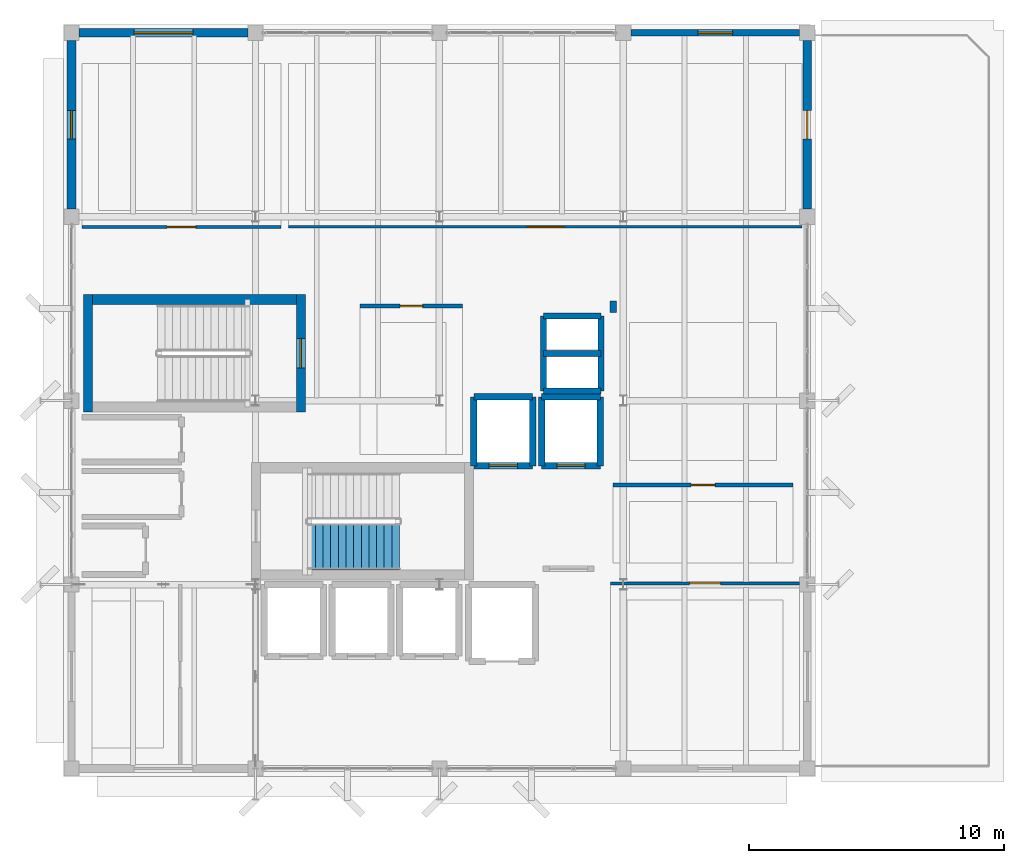
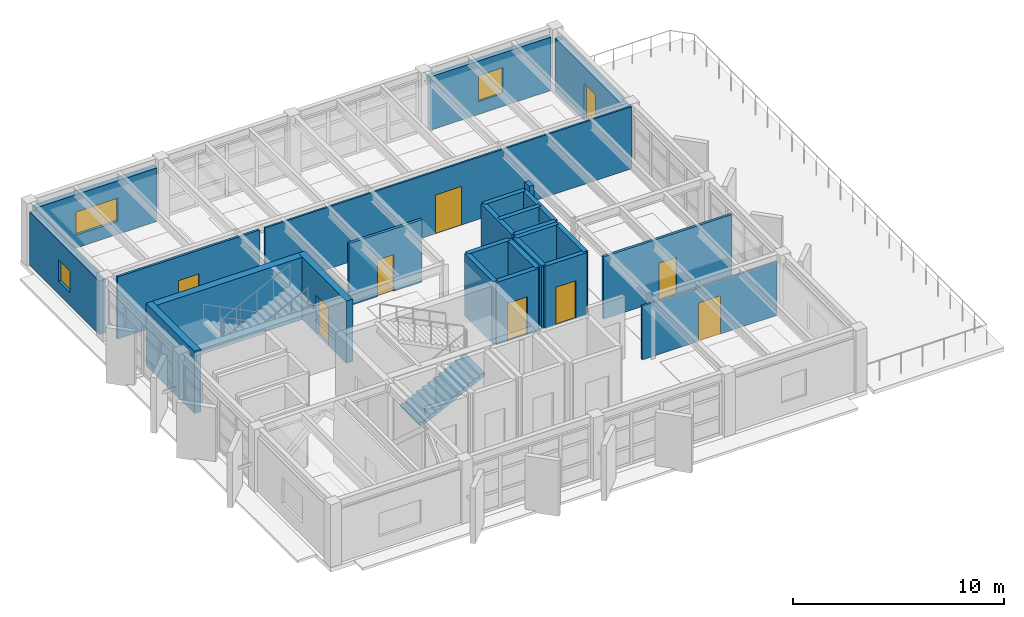
# One storey, part 14 of 19: 26 walls, 9 doors, 3 windows, 1 stair flight, 12 openings, 1 element without a shape of its own.
"""IFC4 building model written with IfcOpenShell, lengths in metres."""

from ifc_helpers import new_model, si_unit, direction, frame, frame_2d, origin, place, context, subcontext, project, spatial, polyline, rectangle, outline, extrude, material, layer, layer_set, type_object, element, fill, aggregate, save


model = new_model("IFC4")

# Units and contexts
model_context = context("Model", 3, precision=1e-05, world=origin(), true_north=direction((0.0, 1.0)))
body_context = subcontext(model_context, "Body", "Model", "MODEL_VIEW")
ifc_project = project(units=[si_unit("LENGTHUNIT", "METRE"), si_unit("AREAUNIT", "SQUARE_METRE"), si_unit("VOLUMEUNIT", "CUBIC_METRE"), si_unit("PLANEANGLEUNIT", "RADIAN"), si_unit("MASSUNIT", "GRAM", prefix="KILO")], contexts=[model_context])

# Site, building, storey
site_placement = place(None, origin())
site = spatial("IfcSite", under=ifc_project, at=site_placement, CompositionType="ELEMENT")
building_placement = place(site_placement, origin())
building = spatial("IfcBuilding", under=site, at=building_placement, Name="Kandorven Conservatory and Botanical Research Centre", CompositionType="ELEMENT")
storey_placement = place(building_placement, frame((0.0, 0.0, 28.800048828125)))
storey = spatial("IfcBuildingStorey", under=building, at=storey_placement, Name="L07", CompositionType="ELEMENT", Elevation=28.800048828125)

# Wall
ifc_material_1 = material(Name="Concrete C40/50 (M50)", Category="concrete")
ifc_layer_1 = layer(ifc_material_1, 0.39990234375)
ifc_layer_set_1 = layer_set([ifc_layer_1], Name="Concrete C40/50 (M50)")
wall_type_1 = type_object("IfcWallType", Name="Wall_CW-RC-1", PredefinedType="SHEAR", material=ifc_layer_set_1)
wall_1_placement = place(storey_placement, frame((14.800048828125, 24.35498046875, 0.0), z_axis=(0.0, 0.0, 1.0), x_axis=(-1.0, 0.0, 0.0)))
element("IfcWall", 1, at=wall_1_placement, inside=storey, type_object=wall_type_1, Name="Core stair shear wall CW-RC-1 ST-T2 L07 side A", PredefinedType="SHEAR", context=body_context, shape_type="SweptSolid", body=[
    extrude(rectangle(XDim=7.97998046875, YDim=0.39990234375, at=frame_2d((3.989990234375, 0.0))), origin(), (0.0, 0.0, 1.0), 3.619873046875),
])

# Wall, opening, door
ifc_material_2 = material(Name="Concrete C40/50 (M50)", Category="concrete")
ifc_layer_2 = layer(ifc_material_2, 0.35009765625)
ifc_layer_set_2 = layer_set([ifc_layer_2], Name="Concrete C40/50 (M50)")
wall_type_2 = type_object("IfcWallType", Name="Wall_CW-RC-2", PredefinedType="SHEAR", material=ifc_layer_set_2)
wall_2_placement = place(storey_placement, frame((14.97509765625, 24.550048828125, 0.0), z_axis=(0.0, 0.0, 1.0), x_axis=(0.0, -1.0, 0.0)))
wall_2 = element("IfcWall", 2, at=wall_2_placement, inside=storey, type_object=wall_type_2, Name="Core stair shear wall CW-RC-2 ST-T2 L07 entry", PredefinedType="SHEAR", context=body_context, shape_type="SweptSolid", body=[
    extrude(rectangle(XDim=4.590087890625, YDim=0.35009765625, at=frame_2d((2.294921875, 0.0))), origin(), (0.0, 0.0, 1.0), 3.619873046875),
])
opening_1_placement = place(wall_2_placement, frame((1.719970703125, 0.0, 0.0)))
opening_1 = element("IfcOpeningElement", 3, at=opening_1_placement, cuts=wall_2, Name="Opening FD-2", PredefinedType="OPENING", context=body_context, shape_type="SweptSolid", body=[
    extrude(rectangle(XDim=1.14990234375, YDim=2.199951171875, at=frame_2d((0.574951171875, 1.10009765625))), frame((0.0, 0.18505859375, 0.0), z_axis=(0.0, -1.0, 0.0), x_axis=(1.0, 0.0, 0.0)), (0.0, 0.0, 1.0), 0.3701171875),
])
ifc_material_3 = material(Name="Galvanised hollow steel fire door assembly", Category="steel")
door_type_1 = type_object("IfcDoorType", Name="Door_FD-2", OperationType="NOTDEFINED", PredefinedType="DOOR", material=ifc_material_3)
door_1_placement = place(opening_1_placement, origin())
door_1 = element("IfcDoor", 4, at=door_1_placement, inside=storey, type_object=door_type_1, Name="Exit stair fire door FD-2 ST-T2 L07", OperationType="SINGLE_SWING_RIGHT", OverallHeight=2.199951171875, OverallWidth=1.14990234375, PredefinedType="DOOR", context=body_context, shape_type="SweptSolid", body=[
    extrude(rectangle(XDim=1.14990234375, YDim=2.199951171875, at=frame_2d((0.574951171875, 1.10009765625))), frame((0.0, 0.02490234375, 0.0), z_axis=(0.0, -1.0, 0.0), x_axis=(1.0, 0.0, 0.0)), (0.0, 0.0, 1.0), 0.050048828125),
])
fill(opening_1, door_1)

# Wall
wall_3_placement = place(storey_placement, frame((6.64501953125, 24.550048828125, 0.0), z_axis=(0.0, 0.0, 1.0), x_axis=(0.0, -1.0, 0.0)))
element("IfcWall", 5, at=wall_3_placement, inside=storey, type_object=wall_type_2, Name="Core stair shear wall CW-RC-2 ST-T2 L07 far", PredefinedType="SHEAR", context=body_context, shape_type="SweptSolid", body=[
    extrude(rectangle(XDim=4.590087890625, YDim=0.35009765625, at=frame_2d((2.294921875, 0.0))), origin(), (0.0, 0.0, 1.0), 3.619873046875),
])

# Wall, opening, door
wall_4_placement = place(storey_placement, frame((21.75, 17.85009765625, 0.0), z_axis=(0.0, 0.0, 1.0), x_axis=(1.0, 0.0, 0.0)))
wall_4 = element("IfcWall", 6, at=wall_4_placement, inside=storey, type_object=wall_type_2, Name="Lift shaft wall FFL-1 L07 S", PredefinedType="SHEAR", context=body_context, shape_type="SweptSolid", body=[
    extrude(rectangle(XDim=2.300048828125, YDim=0.25, at=frame_2d((1.14990234375, 0.0))), origin(), (0.0, 0.0, 1.0), 3.619873046875),
])
opening_2_placement = place(wall_4_placement, frame((0.60009765625, 0.0, 0.0)))
opening_2 = element("IfcOpeningElement", 7, at=opening_2_placement, cuts=wall_4, Name="Opening LD-01", PredefinedType="OPENING", context=body_context, shape_type="SweptSolid", body=[
    extrude(rectangle(XDim=1.10009765625, YDim=2.199951171875, at=frame_2d((0.550048828125, 1.10009765625))), frame((0.0, 0.135009765625, 0.0), z_axis=(0.0, -1.0, 0.0), x_axis=(1.0, 0.0, 0.0)), (0.0, 0.0, 1.0), 0.27001953125),
])
ifc_material_4 = material(Name="Anodised aluminium sliding landing door", Category="aluminium")
door_type_2 = type_object("IfcDoorType", Name="Door_LD-01", OperationType="DOUBLE_DOOR_SLIDING", PredefinedType="DOOR", material=ifc_material_4)
door_2_placement = place(opening_2_placement, origin())
door_2 = element("IfcDoor", 8, at=door_2_placement, inside=storey, type_object=door_type_2, Name="Lift landing sliding door LD-01 (FFL-1 L07)", OperationType="DOUBLE_DOOR_SLIDING", OverallHeight=2.199951171875, OverallWidth=1.10009765625, PredefinedType="DOOR", context=body_context, shape_type="SweptSolid", body=[
    extrude(rectangle(XDim=1.10009765625, YDim=2.199951171875, at=frame_2d((0.550048828125, 1.10009765625))), frame((0.0, 0.02490234375, 0.0), z_axis=(0.0, -1.0, 0.0), x_axis=(1.0, 0.0, 0.0)), (0.0, 0.0, 1.0), 0.050048828125),
])
fill(opening_2, door_2)

# Walls
wall_5_placement = place(storey_placement, frame((21.75, 20.550048828125, 0.0), z_axis=(0.0, 0.0, 1.0), x_axis=(1.0, 0.0, 0.0)))
element("IfcWall", 9, at=wall_5_placement, inside=storey, type_object=wall_type_2, Name="Lift shaft wall FFL-1 L07 N", PredefinedType="SHEAR", context=body_context, shape_type="SweptSolid", body=[
    extrude(rectangle(XDim=2.300048828125, YDim=0.25, at=frame_2d((1.14990234375, 0.0))), origin(), (0.0, 0.0, 1.0), 3.619873046875),
])
for number, where, z_axis, x_axis, name in (
    (10, (21.75, 17.85009765625, 0.0), (0.0, 0.0, 1.0), (0.0, 1.0, 0.0), "Lift shaft wall FFL-1 L07 W"),
    (11, (24.050048828125, 17.85009765625, 0.0), (0.0, 0.0, 1.0), (0.0, 1.0, 0.0), "Lift shaft wall FFL-1 L07 E"),
):
    element("IfcWall", number, at=place(storey_placement, frame(where, z_axis=z_axis, x_axis=x_axis)), inside=storey, type_object=wall_type_2, Name=name, PredefinedType="SHEAR", context=body_context, shape_type="SweptSolid", body=[
        extrude(rectangle(XDim=2.699951171875, YDim=0.25, at=frame_2d((1.35009765625, 0.0))), origin(), (0.0, 0.0, 1.0), 3.619873046875),
    ])

# Wall, opening, door
wall_6_placement = place(storey_placement, frame((24.39990234375, 17.85009765625, 0.0), z_axis=(0.0, 0.0, 1.0), x_axis=(1.0, 0.0, 0.0)))
wall_6 = element("IfcWall", 12, at=wall_6_placement, inside=storey, type_object=wall_type_2, Name="Lift shaft wall FFL-2 L07 S", PredefinedType="SHEAR", context=body_context, shape_type="SweptSolid", body=[
    extrude(rectangle(XDim=2.300048828125, YDim=0.25, at=frame_2d((1.14990234375, 0.0))), origin(), (0.0, 0.0, 1.0), 3.619873046875),
])
opening_3_placement = place(wall_6_placement, frame((0.60009765625, 0.0, 0.0)))
opening_3 = element("IfcOpeningElement", 13, at=opening_3_placement, cuts=wall_6, Name="Opening LD-01", PredefinedType="OPENING", context=body_context, shape_type="SweptSolid", body=[
    extrude(rectangle(XDim=1.10009765625, YDim=2.199951171875, at=frame_2d((0.550048828125, 1.10009765625))), frame((0.0, 0.135009765625, 0.0), z_axis=(0.0, -1.0, 0.0), x_axis=(1.0, 0.0, 0.0)), (0.0, 0.0, 1.0), 0.27001953125),
])
door_3_placement = place(opening_3_placement, origin())
door_3 = element("IfcDoor", 14, at=door_3_placement, inside=storey, type_object=door_type_2, Name="Lift landing sliding door LD-01 (FFL-2 L07)", OperationType="DOUBLE_DOOR_SLIDING", OverallHeight=2.199951171875, OverallWidth=1.10009765625, PredefinedType="DOOR", context=body_context, shape_type="SweptSolid", body=[
    extrude(rectangle(XDim=1.10009765625, YDim=2.199951171875, at=frame_2d((0.550048828125, 1.10009765625))), frame((0.0, 0.02490234375, 0.0), z_axis=(0.0, -1.0, 0.0), x_axis=(1.0, 0.0, 0.0)), (0.0, 0.0, 1.0), 0.050048828125),
])
fill(opening_3, door_3)

# Walls
wall_7_placement = place(storey_placement, frame((24.39990234375, 20.550048828125, 0.0), z_axis=(0.0, 0.0, 1.0), x_axis=(1.0, 0.0, 0.0)))
element("IfcWall", 15, at=wall_7_placement, inside=storey, type_object=wall_type_2, Name="Lift shaft wall FFL-2 L07 N", PredefinedType="SHEAR", context=body_context, shape_type="SweptSolid", body=[
    extrude(rectangle(XDim=2.300048828125, YDim=0.25, at=frame_2d((1.14990234375, 0.0))), origin(), (0.0, 0.0, 1.0), 3.619873046875),
])
for number, where, z_axis, x_axis, name in (
    (16, (24.39990234375, 17.85009765625, 0.0), (0.0, 0.0, 1.0), (0.0, 1.0, 0.0), "Lift shaft wall FFL-2 L07 W"),
    (17, (26.699951171875, 17.85009765625, 0.0), (0.0, 0.0, 1.0), (0.0, 1.0, 0.0), "Lift shaft wall FFL-2 L07 E"),
):
    element("IfcWall", number, at=place(storey_placement, frame(where, z_axis=z_axis, x_axis=x_axis)), inside=storey, type_object=wall_type_2, Name=name, PredefinedType="SHEAR", context=body_context, shape_type="SweptSolid", body=[
        extrude(rectangle(XDim=2.699951171875, YDim=0.25, at=frame_2d((1.35009765625, 0.0))), origin(), (0.0, 0.0, 1.0), 3.619873046875),
    ])
for number, where, z_axis, x_axis, name in (
    (18, (24.47998046875, 20.780029296875, 0.0), (0.0, 0.0, 1.0), (1.0, 0.0, 0.0), "Core MEP riser shaft wall CW-RC-2 L07 S"),
    (19, (24.47998046875, 22.25, 0.0), (0.0, 0.0, 1.0), (1.0, 0.0, 0.0), "Core MEP riser shaft wall CW-RC-2 L07 M"),
    (20, (24.47998046875, 23.719970703125, 0.0), (0.0, 0.0, 1.0), (1.0, 0.0, 0.0), "Core MEP riser shaft wall CW-RC-2 L07 N"),
):
    element("IfcWall", number, at=place(storey_placement, frame(where, z_axis=z_axis, x_axis=x_axis)), inside=storey, type_object=wall_type_2, Name=name, PredefinedType="SHEAR", context=body_context, shape_type="SweptSolid", body=[
        extrude(rectangle(XDim=2.239990234375, YDim=0.239990234375, at=frame_2d((1.1201171875, 0.0))), origin(), (0.0, 0.0, 1.0), 3.619873046875),
    ])
for number, where, z_axis, x_axis, name in (
    (21, (24.47998046875, 20.780029296875, 0.0), (0.0, 0.0, 1.0), (0.0, 1.0, 0.0), "Core MEP riser shaft wall CW-RC-2 L07 W"),
    (22, (26.719970703125, 20.780029296875, 0.0), (0.0, 0.0, 1.0), (0.0, 1.0, 0.0), "Core MEP riser shaft wall CW-RC-2 L07 E"),
):
    element("IfcWall", number, at=place(storey_placement, frame(where, z_axis=z_axis, x_axis=x_axis)), inside=storey, type_object=wall_type_2, Name=name, PredefinedType="SHEAR", context=body_context, shape_type="SweptSolid", body=[
        extrude(rectangle(XDim=2.93994140625, YDim=0.239990234375, at=frame_2d((1.469970703125, 0.0))), origin(), (0.0, 0.0, 1.0), 3.619873046875),
    ])

# Wall, opening, window
ifc_material_5 = material(Name="Concrete C32/40 (M40)", Category="concrete")
ifc_layer_3 = layer(ifc_material_5, 0.340087890625)
ifc_layer_set_3 = layer_set([ifc_layer_3], Name="Concrete C32/40 (M40)")
wall_type_3 = type_object("IfcWallType", Name="Wall_EW-02", PredefinedType="STANDARD", material=ifc_layer_set_3)
wall_8_placement = place(storey_placement, frame((6.0, 27.89990234375, 0.0), z_axis=(0.0, 0.0, 1.0), x_axis=(0.0, 1.0, 0.0)))
wall_8 = element("IfcWall", 23, at=wall_8_placement, inside=storey, type_object=wall_type_3, Name="Tower concrete facade wall EW-02 W L07", PredefinedType="STANDARD", context=body_context, shape_type="SweptSolid", body=[
    extrude(rectangle(XDim=6.60009765625, YDim=0.340087890625, at=frame_2d((3.300048828125, 0.0))), origin(), (0.0, 0.0, 1.0), 3.099853515625),
])
opening_4_placement = place(wall_8_placement, frame((2.75, 0.0, 0.75)))
opening_4 = element("IfcOpeningElement", 24, at=opening_4_placement, cuts=wall_8, Name="Opening W-45", PredefinedType="OPENING", context=body_context, shape_type="SweptSolid", body=[
    extrude(rectangle(XDim=1.10009765625, YDim=1.25, at=frame_2d((0.550048828125, 0.625))), frame((0.0, 0.179931640625, 0.0), z_axis=(0.0, -1.0, 0.0), x_axis=(1.0, 0.0, 0.0)), (0.0, 0.0, 1.0), 0.360107421875),
])
ifc_material_6 = material(Name="Double-glazed solar-control low-E glass", Category="glass")
window_type_1 = type_object("IfcWindowType", Name="Win_W-45", PartitioningType="DOUBLE_PANEL_VERTICAL", PredefinedType="WINDOW", material=ifc_material_6)
window_1_placement = place(opening_4_placement, origin())
window_1 = element("IfcWindow", 25, at=window_1_placement, inside=storey, type_object=window_type_1, Name="Tower recessed solar window W-45", OverallHeight=1.25, OverallWidth=1.10009765625, PartitioningType="SINGLE_PANEL", PredefinedType="WINDOW", context=body_context, shape_type="SweptSolid", body=[
    extrude(rectangle(XDim=1.10009765625, YDim=1.25, at=frame_2d((0.550048828125, 0.625))), frame((0.0, 0.030029296875, 0.0), z_axis=(0.0, -1.0, 0.0), x_axis=(1.0, 0.0, 0.0)), (0.0, 0.0, 1.0), 0.06005859375),
])
fill(opening_4, window_1)

# Wall, opening, door
wall_9_placement = place(storey_placement, frame((34.800048828125, 27.89990234375, 0.0), z_axis=(0.0, 0.0, 1.0), x_axis=(0.0, 1.0, 0.0)))
wall_9 = element("IfcWall", 26, at=wall_9_placement, inside=storey, type_object=wall_type_3, Name="Tower concrete facade wall EW-02 E L07", PredefinedType="STANDARD", context=body_context, shape_type="SweptSolid", body=[
    extrude(rectangle(XDim=6.60009765625, YDim=0.340087890625, at=frame_2d((3.300048828125, 0.0))), origin(), (0.0, 0.0, 1.0), 3.099853515625),
])
opening_5_placement = place(wall_9_placement, frame((2.75, 0.0, 0.0)))
opening_5 = element("IfcOpeningElement", 27, at=opening_5_placement, cuts=wall_9, Name="Opening TD-01", PredefinedType="OPENING", context=body_context, shape_type="SweptSolid", body=[
    extrude(rectangle(XDim=1.10009765625, YDim=2.14990234375, at=frame_2d((0.550048828125, 1.074951171875))), frame((0.0, 0.179931640625, 0.0), z_axis=(0.0, -1.0, 0.0), x_axis=(1.0, 0.0, 0.0)), (0.0, 0.0, 1.0), 0.360107421875),
])
ifc_material_7 = material(Name="Bronze anodised thermally broken aluminium", Category="aluminium")
door_type_3 = type_object("IfcDoorType", Name="Door_TD-01", OperationType="NOTDEFINED", PredefinedType="DOOR", material=ifc_material_7)
door_4_placement = place(opening_5_placement, frame((1.10009765625, 0.0, 0.0), z_axis=(0.0, 0.0, 1.0), x_axis=(-1.0, 0.0, 0.0)))
door_4 = element("IfcDoor", 28, at=door_4_placement, inside=storey, type_object=door_type_3, Name="Level L07 guarded terrace access door TD-01", OperationType="SINGLE_SWING_LEFT", OverallHeight=2.14990234375, OverallWidth=1.10009765625, PredefinedType="DOOR", context=body_context, shape_type="SweptSolid", body=[
    extrude(rectangle(XDim=1.10009765625, YDim=2.14990234375, at=frame_2d((0.550048828125, 1.074951171875))), frame((0.0, 0.02490234375, 0.0), z_axis=(0.0, -1.0, 0.0), x_axis=(1.0, 0.0, 0.0)), (0.0, 0.0, 1.0), 0.050048828125),
])
fill(opening_5, door_4)

# Wall, opening, window
ifc_material_8 = material(Name="Concrete C32/40 (M40)", Category="concrete")
ifc_layer_4 = layer(ifc_material_8, 0.320068359375)
ifc_layer_set_4 = layer_set([ifc_layer_4], Name="Concrete C32/40 (M40)")
wall_type_4 = type_object("IfcWallType", Name="Wall_EW-03", PredefinedType="STANDARD", material=ifc_layer_set_4)
wall_10_placement = place(storey_placement, frame((6.300048828125, 34.800048828125, 0.0), z_axis=(0.0, 0.0, 1.0), x_axis=(1.0, 0.0, 0.0)))
wall_10 = element("IfcWall", 29, at=wall_10_placement, inside=storey, type_object=wall_type_4, Name="Tower concrete facade wall EW-03 N L07", PredefinedType="STANDARD", context=body_context, shape_type="SweptSolid", body=[
    extrude(rectangle(XDim=6.599853515625, YDim=0.320068359375, at=frame_2d((3.2998046875, 0.0))), origin(), (0.0, 0.0, 1.0), 3.099853515625),
])
opening_6_placement = place(wall_10_placement, frame((2.14990234375, 0.0, 0.75)))
opening_6 = element("IfcOpeningElement", 30, at=opening_6_placement, cuts=wall_10, Name="Opening W-37", PredefinedType="OPENING", context=body_context, shape_type="SweptSolid", body=[
    extrude(rectangle(XDim=2.300048828125, YDim=1.35009765625, at=frame_2d((1.14990234375, 0.675048828125))), frame((0.0, 0.169921875, 0.0), z_axis=(0.0, -1.0, 0.0), x_axis=(1.0, 0.0, 0.0)), (0.0, 0.0, 1.0), 0.340087890625),
])
ifc_material_9 = material(Name="Double-glazed solar-control low-E glass", Category="glass")
window_type_2 = type_object("IfcWindowType", Name="Win_W-37", PartitioningType="DOUBLE_PANEL_VERTICAL", PredefinedType="WINDOW", material=ifc_material_9)
window_2_placement = place(opening_6_placement, origin())
window_2 = element("IfcWindow", 31, at=window_2_placement, inside=storey, type_object=window_type_2, Name="Tower recessed solar window W-37", OverallHeight=1.35009765625, OverallWidth=2.300048828125, PartitioningType="SINGLE_PANEL", PredefinedType="WINDOW", context=body_context, shape_type="SweptSolid", body=[
    extrude(rectangle(XDim=2.300048828125, YDim=1.35009765625, at=frame_2d((1.14990234375, 0.675048828125))), frame((0.0, 0.030029296875, 0.0), z_axis=(0.0, -1.0, 0.0), x_axis=(1.0, 0.0, 0.0)), (0.0, 0.0, 1.0), 0.06005859375),
])
fill(opening_6, window_2)

ifc_material_10 = material(Name="Concrete C32/40 (M40)", Category="concrete")
ifc_layer_5 = layer(ifc_material_10, 0.260009765625)
ifc_layer_set_5 = layer_set([ifc_layer_5], Name="Concrete C32/40 (M40)")
wall_type_5 = type_object("IfcWallType", Name="Wall_EW-06", PredefinedType="STANDARD", material=ifc_layer_set_5)
wall_11_placement = place(storey_placement, frame((27.89990234375, 34.800048828125, 0.0), z_axis=(0.0, 0.0, 1.0), x_axis=(1.0, 0.0, 0.0)))
wall_11 = element("IfcWall", 32, at=wall_11_placement, inside=storey, type_object=wall_type_5, Name="Tower concrete facade wall EW-06 N L07", PredefinedType="STANDARD", context=body_context, shape_type="SweptSolid", body=[
    extrude(rectangle(XDim=6.60009765625, YDim=0.260009765625, at=frame_2d((3.300048828125, 0.0))), origin(), (0.0, 0.0, 1.0), 3.099853515625),
])
opening_7_placement = place(wall_11_placement, frame((2.625, 0.0, 0.75)))
opening_7 = element("IfcOpeningElement", 33, at=opening_7_placement, cuts=wall_11, Name="Opening W-40", PredefinedType="OPENING", context=body_context, shape_type="SweptSolid", body=[
    extrude(rectangle(XDim=1.35009765625, YDim=1.5, at=frame_2d((0.675048828125, 0.75))), frame((0.0, 0.139892578125, 0.0), z_axis=(0.0, -1.0, 0.0), x_axis=(1.0, 0.0, 0.0)), (0.0, 0.0, 1.0), 0.280029296875),
])
ifc_material_11 = material(Name="Double-glazed solar-control low-E glass", Category="glass")
window_type_3 = type_object("IfcWindowType", Name="Win_W-40", PartitioningType="DOUBLE_PANEL_VERTICAL", PredefinedType="WINDOW", material=ifc_material_11)
window_3_placement = place(opening_7_placement, origin())
window_3 = element("IfcWindow", 34, at=window_3_placement, inside=storey, type_object=window_type_3, Name="Tower recessed solar window W-40", OverallHeight=1.5, OverallWidth=1.35009765625, PartitioningType="SINGLE_PANEL", PredefinedType="WINDOW", context=body_context, shape_type="SweptSolid", body=[
    extrude(rectangle(XDim=1.35009765625, YDim=1.5, at=frame_2d((0.675048828125, 0.75))), frame((0.0, 0.030029296875, 0.0), z_axis=(0.0, -1.0, 0.0), x_axis=(1.0, 0.0, 0.0)), (0.0, 0.0, 1.0), 0.06005859375),
])
fill(opening_7, window_3)

# Wall, opening, door
ifc_material_12 = material(Name="Autoclaved aerated concrete blockwork masonry", Category="masonry")
ifc_layer_6 = layer(ifc_material_12, 0.1650390625)
ifc_layer_set_6 = layer_set([ifc_layer_6], Name="Autoclaved aerated concrete blockwork masonry")
wall_type_6 = type_object("IfcWallType", Name="Wall_IW-04", PredefinedType="PARTITIONING", material=ifc_layer_set_6)
wall_12_placement = place(storey_placement, frame((17.300048828125, 24.10009765625, 0.0), z_axis=(0.0, 0.0, 1.0), x_axis=(1.0, 0.0, 0.0)))
wall_12 = element("IfcWall", 35, at=wall_12_placement, inside=storey, type_object=wall_type_6, Name="Interior partition wall IW-04 (Botanical Specimen Preparation Laboratory L07)", PredefinedType="PARTITIONING", context=body_context, shape_type="SweptSolid", body=[
    extrude(rectangle(XDim=4.0, YDim=0.1650390625, at=frame_2d((2.0, 0.0))), origin(), (0.0, 0.0, 1.0), 3.599853515625),
])
opening_8_placement = place(wall_12_placement, frame((1.56005859375, 0.0, 0.0)))
opening_8 = element("IfcOpeningElement", 36, at=opening_8_placement, cuts=wall_12, Name="Opening D-19", PredefinedType="OPENING", context=body_context, shape_type="SweptSolid", body=[
    extrude(rectangle(XDim=0.8798828125, YDim=2.1201171875, at=frame_2d((0.43994140625, 1.06005859375))), frame((0.0, 0.092529296875, 0.0), z_axis=(0.0, -1.0, 0.0), x_axis=(1.0, 0.0, 0.0)), (0.0, 0.0, 1.0), 0.18505859375),
])
ifc_material_13 = material(Name="Solid core acoustic teak-veneered timber leaf", Category="wood")
door_type_4 = type_object("IfcDoorType", Name="Door_D-19", OperationType="NOTDEFINED", PredefinedType="DOOR", material=ifc_material_13)
door_5_placement = place(opening_8_placement, origin())
door_5 = element("IfcDoor", 37, at=door_5_placement, inside=storey, type_object=door_type_4, Name="Interior door D-19 to Botanical Specimen Preparation Laboratory L07", OperationType="SINGLE_SWING_LEFT", OverallHeight=2.1201171875, OverallWidth=0.8798828125, PredefinedType="DOOR", context=body_context, shape_type="SweptSolid", body=[
    extrude(rectangle(XDim=0.8798828125, YDim=2.1201171875, at=frame_2d((0.43994140625, 1.06005859375))), frame((0.0, 0.02490234375, 0.0), z_axis=(0.0, -1.0, 0.0), x_axis=(1.0, 0.0, 0.0)), (0.0, 0.0, 1.0), 0.050048828125),
])
fill(opening_8, door_5)

ifc_material_14 = material(Name="Fire-rated acoustic gypsum board partition", Category="gypsum")
ifc_layer_7 = layer(ifc_material_14, 0.14990234375)
ifc_layer_set_7 = layer_set([ifc_layer_7], Name="Fire-rated acoustic gypsum board partition")
wall_type_7 = type_object("IfcWallType", Name="Wall_IW-05", PredefinedType="PARTITIONING", material=ifc_layer_set_7)
wall_13_placement = place(storey_placement, frame((27.199951171875, 17.10009765625, 0.0), z_axis=(0.0, 0.0, 1.0), x_axis=(1.0, 0.0, 0.0)))
wall_13 = element("IfcWall", 38, at=wall_13_placement, inside=storey, type_object=wall_type_7, Name="Interior partition wall IW-05 (Flora Taxonomy Microscopy Laboratory L07)", PredefinedType="PARTITIONING", context=body_context, shape_type="SweptSolid", body=[
    extrude(rectangle(XDim=7.050048828125, YDim=0.14990234375, at=frame_2d((3.52490234375, 0.0))), origin(), (0.0, 0.0, 1.0), 3.599853515625),
])
opening_9_placement = place(wall_13_placement, frame((3.054931640625, 0.0, 0.0)))
opening_9 = element("IfcOpeningElement", 39, at=opening_9_placement, cuts=wall_13, Name="Opening D-20", PredefinedType="OPENING", context=body_context, shape_type="SweptSolid", body=[
    extrude(rectangle(XDim=0.93994140625, YDim=2.179931640625, at=frame_2d((0.469970703125, 1.08984375))), frame((0.0, 0.0849609375, 0.0), z_axis=(0.0, -1.0, 0.0), x_axis=(1.0, 0.0, 0.0)), (0.0, 0.0, 1.0), 0.169921875),
])
ifc_material_15 = material(Name="Solid core acoustic teak-veneered timber leaf", Category="wood")
door_type_5 = type_object("IfcDoorType", Name="Door_D-20", OperationType="NOTDEFINED", PredefinedType="DOOR", material=ifc_material_15)
door_6_placement = place(opening_9_placement, origin())
door_6 = element("IfcDoor", 40, at=door_6_placement, inside=storey, type_object=door_type_5, Name="Interior door D-20 to Flora Taxonomy Microscopy Laboratory L07", OperationType="SINGLE_SWING_RIGHT", OverallHeight=2.179931640625, OverallWidth=0.93994140625, PredefinedType="DOOR", context=body_context, shape_type="SweptSolid", body=[
    extrude(rectangle(XDim=0.93994140625, YDim=2.179931640625, at=frame_2d((0.469970703125, 1.08984375))), frame((0.0, 0.02490234375, 0.0), z_axis=(0.0, -1.0, 0.0), x_axis=(1.0, 0.0, 0.0)), (0.0, 0.0, 1.0), 0.050048828125),
])
fill(opening_9, door_6)

ifc_material_16 = material(Name="Fire-rated acoustic gypsum board partition", Category="gypsum")
ifc_layer_8 = layer(ifc_material_16, 0.1298828125)
ifc_layer_set_8 = layer_set([ifc_layer_8], Name="Fire-rated acoustic gypsum board partition")
wall_type_8 = type_object("IfcWallType", Name="Wall_IW-07", PredefinedType="PARTITIONING", material=ifc_layer_set_8)
wall_14_placement = place(storey_placement, frame((6.39990234375, 27.199951171875, 0.0), z_axis=(0.0, 0.0, 1.0), x_axis=(1.0, 0.0, 0.0)))
wall_14 = element("IfcWall", 41, at=wall_14_placement, inside=storey, type_object=wall_type_8, Name="Interior partition wall IW-07 (Ethnobotany Field Specimen Studio L07)", PredefinedType="PARTITIONING", context=body_context, shape_type="SweptSolid", body=[
    extrude(rectangle(XDim=7.800048828125, YDim=0.1298828125, at=frame_2d((3.89990234375, 0.0))), origin(), (0.0, 0.0, 1.0), 3.599853515625),
])
opening_10_placement = place(wall_14_placement, frame((3.340087890625, 0.0, 0.0)))
opening_10 = element("IfcOpeningElement", 42, at=opening_10_placement, cuts=wall_14, Name="Opening D-22", PredefinedType="OPENING", context=body_context, shape_type="SweptSolid", body=[
    extrude(rectangle(XDim=1.1201171875, YDim=2.219970703125, at=frame_2d((0.56005859375, 1.10986328125))), frame((0.0, 0.074951171875, 0.0), z_axis=(0.0, -1.0, 0.0), x_axis=(1.0, 0.0, 0.0)), (0.0, 0.0, 1.0), 0.14990234375),
])
ifc_material_17 = material(Name="Solid core acoustic teak-veneered timber leaf", Category="wood")
door_type_6 = type_object("IfcDoorType", Name="Door_D-22", OperationType="NOTDEFINED", PredefinedType="DOOR", material=ifc_material_17)
door_7_placement = place(opening_10_placement, origin())
door_7 = element("IfcDoor", 43, at=door_7_placement, inside=storey, type_object=door_type_6, Name="Interior door D-22 to Ethnobotany Field Specimen Studio L07", OperationType="SINGLE_SWING_RIGHT", OverallHeight=2.219970703125, OverallWidth=1.1201171875, PredefinedType="DOOR", context=body_context, shape_type="SweptSolid", body=[
    extrude(rectangle(XDim=1.1201171875, YDim=2.219970703125, at=frame_2d((0.56005859375, 1.10986328125))), frame((0.0, 0.02490234375, 0.0), z_axis=(0.0, -1.0, 0.0), x_axis=(1.0, 0.0, 0.0)), (0.0, 0.0, 1.0), 0.050048828125),
])
fill(opening_10, door_7)

ifc_material_18 = material(Name="Fire-rated acoustic gypsum board partition", Category="gypsum")
ifc_layer_9 = layer(ifc_material_18, 0.1201171875)
ifc_layer_set_9 = layer_set([ifc_layer_9], Name="Fire-rated acoustic gypsum board partition")
wall_type_9 = type_object("IfcWallType", Name="Wall_IW-08", PredefinedType="PARTITIONING", material=ifc_layer_set_9)
wall_15_placement = place(storey_placement, frame((27.10009765625, 13.25, 0.0), z_axis=(0.0, 0.0, 1.0), x_axis=(1.0, 0.0, 0.0)))
wall_15 = element("IfcWall", 44, at=wall_15_placement, inside=storey, type_object=wall_type_9, Name="Interior partition wall IW-08 (Specimen Preparation Research Laboratory L07)", PredefinedType="PARTITIONING", context=body_context, shape_type="SweptSolid", body=[
    extrude(rectangle(XDim=7.39990234375, YDim=0.1201171875, at=frame_2d((3.699951171875, 0.0))), origin(), (0.0, 0.0, 1.0), 3.10986328125),
])
opening_11_placement = place(wall_15_placement, frame((3.090087890625, 0.0, 0.0)))
opening_11 = element("IfcOpeningElement", 45, at=opening_11_placement, cuts=wall_15, Name="Opening D-23", PredefinedType="OPENING", context=body_context, shape_type="SweptSolid", body=[
    extrude(rectangle(XDim=1.219970703125, YDim=2.219970703125, at=frame_2d((0.60986328125, 1.10986328125))), frame((0.0, 0.070068359375, 0.0), z_axis=(0.0, -1.0, 0.0), x_axis=(1.0, 0.0, 0.0)), (0.0, 0.0, 1.0), 0.14013671875),
])
ifc_material_19 = material(Name="Solid core acoustic teak-veneered timber leaf", Category="wood")
door_type_7 = type_object("IfcDoorType", Name="Door_D-23", OperationType="NOTDEFINED", PredefinedType="DOOR", material=ifc_material_19)
door_8_placement = place(opening_11_placement, origin())
door_8 = element("IfcDoor", 46, at=door_8_placement, inside=storey, type_object=door_type_7, Name="Interior door D-23 to Specimen Preparation Research Laboratory L07", OperationType="SINGLE_SWING_LEFT", OverallHeight=2.219970703125, OverallWidth=1.219970703125, PredefinedType="DOOR", context=body_context, shape_type="SweptSolid", body=[
    extrude(rectangle(XDim=1.219970703125, YDim=2.219970703125, at=frame_2d((0.60986328125, 1.10986328125))), frame((0.0, 0.02490234375, 0.0), z_axis=(0.0, -1.0, 0.0), x_axis=(1.0, 0.0, 0.0)), (0.0, 0.0, 1.0), 0.050048828125),
])
fill(opening_11, door_8)

ifc_material_20 = material(Name="Fire-rated acoustic gypsum board partition", Category="gypsum")
ifc_layer_10 = layer(ifc_material_20, 0.10009765625)
ifc_layer_set_10 = layer_set([ifc_layer_10], Name="Fire-rated acoustic gypsum board partition")
wall_type_10 = type_object("IfcWallType", Name="Wall_IW-10", PredefinedType="PARTITIONING", material=ifc_layer_set_10)
wall_16_placement = place(storey_placement, frame((14.5, 27.199951171875, 0.0), z_axis=(0.0, 0.0, 1.0), x_axis=(1.0, 0.0, 0.0)))
wall_16 = element("IfcWall", 47, at=wall_16_placement, inside=storey, type_object=wall_type_10, Name="Interior partition wall IW-10 (Taxonomic Verification Studio L07)", PredefinedType="PARTITIONING", context=body_context, shape_type="SweptSolid", body=[
    extrude(rectangle(XDim=20.10009765625, YDim=0.10009765625, at=frame_2d((10.050048828125, 0.0))), origin(), (0.0, 0.0, 1.0), 3.599853515625),
])
opening_12_placement = place(wall_16_placement, frame((9.330078125, 0.0, 0.0)))
opening_12 = element("IfcOpeningElement", 48, at=opening_12_placement, cuts=wall_16, Name="Opening D-25", PredefinedType="OPENING", context=body_context, shape_type="SweptSolid", body=[
    extrude(rectangle(XDim=1.43994140625, YDim=2.239990234375, at=frame_2d((0.719970703125, 1.1201171875))), frame((0.0, 0.06005859375, 0.0), z_axis=(0.0, -1.0, 0.0), x_axis=(1.0, 0.0, 0.0)), (0.0, 0.0, 1.0), 0.1201171875),
])
ifc_material_21 = material(Name="Solid core acoustic teak-veneered timber leaf", Category="wood")
door_type_8 = type_object("IfcDoorType", Name="Door_D-25", OperationType="NOTDEFINED", PredefinedType="DOOR", material=ifc_material_21)
door_9_placement = place(opening_12_placement, origin())
door_9 = element("IfcDoor", 49, at=door_9_placement, inside=storey, type_object=door_type_8, Name="Interior door D-25 to Taxonomic Verification Studio L07", OperationType="SINGLE_SWING_LEFT", OverallHeight=2.239990234375, OverallWidth=1.43994140625, PredefinedType="DOOR", context=body_context, shape_type="SweptSolid", body=[
    extrude(rectangle(XDim=1.43994140625, YDim=2.239990234375, at=frame_2d((0.719970703125, 1.1201171875))), frame((0.0, 0.02490234375, 0.0), z_axis=(0.0, -1.0, 0.0), x_axis=(1.0, 0.0, 0.0)), (0.0, 0.0, 1.0), 0.050048828125),
])
fill(opening_12, door_9)

# Wall
ifc_material_22 = material(Name="Concrete C32/40 (M40)", Category="concrete")
ifc_layer_11 = layer(ifc_material_22, 0.25)
ifc_layer_set_11 = layer_set([ifc_layer_11], Name="Concrete C32/40 (M40)")
wall_type_11 = type_object("IfcWallType", Name="Wall_IW-FR-1", PredefinedType="SOLIDWALL", material=ifc_layer_set_11)
wall_17_placement = place(storey_placement, frame((27.199951171875, 24.300048828125, 0.0), z_axis=(0.0, 0.0, 1.0), x_axis=(0.0, -1.0, 0.0)))
element("IfcWall", 50, at=wall_17_placement, inside=storey, type_object=wall_type_11, Name="Interior fire partition wall IW-FR-1 (Mid-Tower Mechanical and Desiccant Plant Room L07)", PredefinedType="SOLIDWALL", context=body_context, shape_type="SweptSolid", body=[
    extrude(rectangle(XDim=0.449951171875, YDim=0.25, at=frame_2d((0.22509765625, 0.0))), origin(), (0.0, 0.0, 1.0), 3.599853515625),
])

# Stair, stair flight
ifc_material_23 = material(Name="Concrete C32/40 (M40)", Category="concrete")
stair_type = type_object("IfcStairType", Name="Stair_1820", PredefinedType="HALF_TURN_STAIR", material=ifc_material_23)
stair_placement = place(storey_placement, origin())
stair = element("IfcStair", 51, at=stair_placement, inside=storey, type_object=stair_type, Name="L07 Tower Fire Stair ST-T1", PredefinedType="HALF_TURN_STAIR")
ifc_material_24 = material(Name="Concrete C32/40 (M40)", Category="concrete")
ifc_layer_12 = layer(ifc_material_24, 0.14990234375)
ifc_layer_set_12 = layer_set([ifc_layer_12], Name="Concrete C32/40 (M40)")
stair_flight_type = type_object("IfcStairFlightType", Name="Flight_1820", PredefinedType="STRAIGHT", material=ifc_layer_set_12)
stair_flight_placement = place(storey_placement, frame((15.239990234375, 14.68994140625, 0.0), z_axis=(0.0, 0.0, 1.0), x_axis=(1.0, 0.0, 0.0)))
stair_flight = element("IfcStairFlight", 52, at=stair_flight_placement, type_object=stair_flight_type, Name="ST-T1 flight 1", NumberOfRisers=13, NumberOfTreads=12, PredefinedType="STRAIGHT", RiserHeight=0.15, TreadLength=0.3, context=body_context, shape_type="SweptSolid", body=[
    extrude(outline(polyline([(0.0, 0.0), (0.0, 0.14990234375), (0.300048828125, 0.14990234375), (0.300048828125, 0.300048828125), (0.60009765625, 0.300048828125), (0.60009765625, 0.449951171875), (0.89990234375, 0.449951171875), (0.89990234375, 0.60009765625), (1.199951171875, 0.60009765625), (1.199951171875, 0.75), (1.5, 0.75), (1.5, 0.89990234375), (1.800048828125, 0.89990234375), (1.800048828125, 1.050048828125), (2.10009765625, 1.050048828125), (2.10009765625, 1.199951171875), (2.39990234375, 1.199951171875), (2.39990234375, 1.35009765625), (2.699951171875, 1.35009765625), (2.699951171875, 1.5), (3.0, 1.5), (3.0, 1.64990234375), (3.300048828125, 1.64990234375), (3.300048828125, 1.800048828125), (3.60009765625, 1.800048828125), (3.60009765625, 1.949951171875), (3.60009765625, 1.63232421875), (0.335205078125, 0.0), (0.0, 0.0)])), frame((0.0, 0.91015625, 0.0), z_axis=(0.0, -1.0, 0.0), x_axis=(1.0, 0.0, 0.0)), (0.0, 0.0, 1.0), 1.820068359375),
])
aggregate(stair, [stair_flight])

save(model, "model.ifc")
